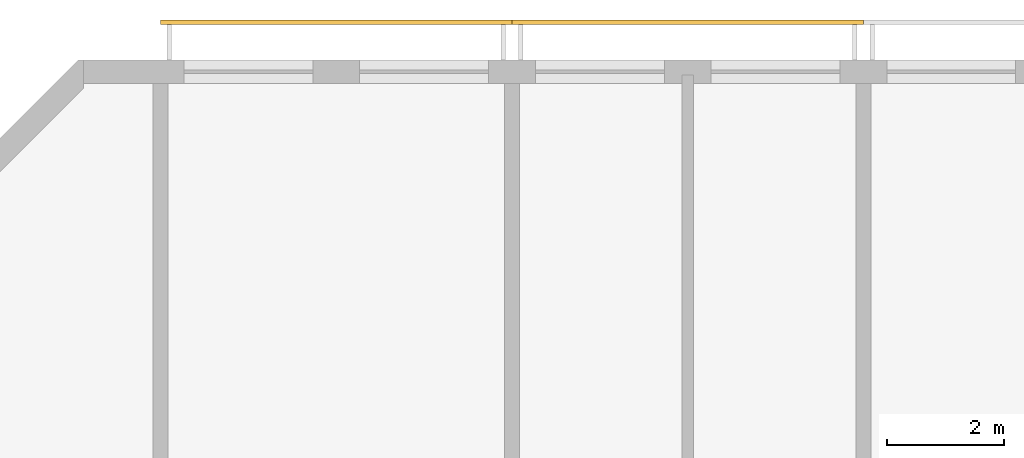
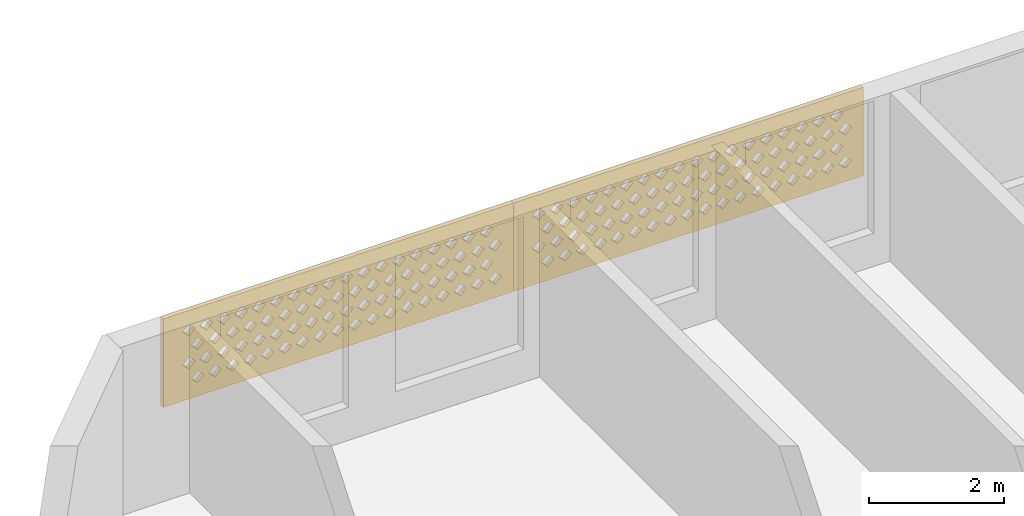
# One storey, part 11 of 16: 2 coverings.
"""IFC4 building model written with IfcOpenShell, lengths in metres."""

from ifc_helpers import new_model, si_unit, direction, frame, origin, place, context, subcontext, project, spatial, polyline, outline, extrude, source, transform, mapped, material, material_profile, profile_set, type_object, element, save


model = new_model("IFC4")

# Units and contexts
model_context = context("Model", 3, precision=1e-05, world=origin(), true_north=direction((0.0, 1.0)))
body_context = subcontext(model_context, "Body", "Model", "MODEL_VIEW")
ifc_project = project(units=[si_unit("LENGTHUNIT", "METRE"), si_unit("AREAUNIT", "SQUARE_METRE"), si_unit("VOLUMEUNIT", "CUBIC_METRE"), si_unit("PLANEANGLEUNIT", "RADIAN"), si_unit("MASSUNIT", "GRAM", prefix="KILO")], contexts=[model_context])

# Site, building, storey
site_placement = place(None, origin())
site = spatial("IfcSite", under=ifc_project, at=site_placement, CompositionType="ELEMENT")
building_placement = place(site_placement, origin())
building = spatial("IfcBuilding", under=site, at=building_placement, Name="Poui Terraces", CompositionType="ELEMENT")
storey_placement = place(building_placement, frame((0.0, 0.0, 282.300048828125)))
storey = spatial("IfcBuildingStorey", under=building, at=storey_placement, Name="L78 CROWN", CompositionType="ELEMENT", Elevation=282.300048828125)

# Coverings
ifc_material = material(Name="Terracotta screen", Category="masonry")
ifc_material_profile = material_profile(ifc_material, outline(polyline([(-3.0, -0.800048828125), (3.0, -0.800048828125), (3.0, 0.800048828125), (-3.0, 0.800048828125), (-3.0, -0.800048828125)]), holes=[polyline([(-2.800048828125, -0.449951171875), (-2.68994140625, -0.56005859375), (-2.580078125, -0.449951171875), (-2.68994140625, -0.340087890625), (-2.800048828125, -0.449951171875)]), polyline([(-2.5, -0.449951171875), (-2.389892578125, -0.56005859375), (-2.280029296875, -0.449951171875), (-2.389892578125, -0.340087890625), (-2.5, -0.449951171875)]), polyline([(-2.199951171875, -0.449951171875), (-2.090087890625, -0.56005859375), (-1.97998046875, -0.449951171875), (-2.090087890625, -0.340087890625), (-2.199951171875, -0.449951171875)]), polyline([(-1.89990234375, -0.449951171875), (-1.7900390625, -0.56005859375), (-1.679931640625, -0.449951171875), (-1.7900390625, -0.340087890625), (-1.89990234375, -0.449951171875)]), polyline([(-1.60009765625, -0.449951171875), (-1.489990234375, -0.56005859375), (-1.3798828125, -0.449951171875), (-1.489990234375, -0.340087890625), (-1.60009765625, -0.449951171875)]), polyline([(-1.300048828125, -0.449951171875), (-1.18994140625, -0.56005859375), (-1.080078125, -0.449951171875), (-1.18994140625, -0.340087890625), (-1.300048828125, -0.449951171875)]), polyline([(-1.0, -0.449951171875), (-0.889892578125, -0.56005859375), (-0.780029296875, -0.449951171875), (-0.889892578125, -0.340087890625), (-1.0, -0.449951171875)]), polyline([(-0.699951171875, -0.449951171875), (-0.590087890625, -0.56005859375), (-0.47998046875, -0.449951171875), (-0.590087890625, -0.340087890625), (-0.699951171875, -0.449951171875)]), polyline([(-0.39990234375, -0.449951171875), (-0.2900390625, -0.56005859375), (-0.179931640625, -0.449951171875), (-0.2900390625, -0.340087890625), (-0.39990234375, -0.449951171875)]), polyline([(-0.10009765625, -0.449951171875), (0.010009765625, -0.56005859375), (0.1201171875, -0.449951171875), (0.010009765625, -0.340087890625), (-0.10009765625, -0.449951171875)]), polyline([(0.199951171875, -0.449951171875), (0.31005859375, -0.56005859375), (0.419921875, -0.449951171875), (0.31005859375, -0.340087890625), (0.199951171875, -0.449951171875)]), polyline([(0.5, -0.449951171875), (0.610107421875, -0.56005859375), (0.719970703125, -0.449951171875), (0.610107421875, -0.340087890625), (0.5, -0.449951171875)]), polyline([(0.800048828125, -0.449951171875), (0.909912109375, -0.56005859375), (1.02001953125, -0.449951171875), (0.909912109375, -0.340087890625), (0.800048828125, -0.449951171875)]), polyline([(1.10009765625, -0.449951171875), (1.2099609375, -0.56005859375), (1.320068359375, -0.449951171875), (1.2099609375, -0.340087890625), (1.10009765625, -0.449951171875)]), polyline([(1.39990234375, -0.449951171875), (1.510009765625, -0.56005859375), (1.6201171875, -0.449951171875), (1.510009765625, -0.340087890625), (1.39990234375, -0.449951171875)]), polyline([(1.699951171875, -0.449951171875), (1.81005859375, -0.56005859375), (1.919921875, -0.449951171875), (1.81005859375, -0.340087890625), (1.699951171875, -0.449951171875)]), polyline([(2.0, -0.449951171875), (2.110107421875, -0.56005859375), (2.219970703125, -0.449951171875), (2.110107421875, -0.340087890625), (2.0, -0.449951171875)]), polyline([(2.300048828125, -0.449951171875), (2.409912109375, -0.56005859375), (2.52001953125, -0.449951171875), (2.409912109375, -0.340087890625), (2.300048828125, -0.449951171875)]), polyline([(-2.64990234375, -0.14990234375), (-2.5400390625, -0.260009765625), (-2.429931640625, -0.14990234375), (-2.5400390625, -0.0400390625), (-2.64990234375, -0.14990234375)]), polyline([(-2.35009765625, -0.14990234375), (-2.239990234375, -0.260009765625), (-2.1298828125, -0.14990234375), (-2.239990234375, -0.0400390625), (-2.35009765625, -0.14990234375)]), polyline([(-2.050048828125, -0.14990234375), (-1.93994140625, -0.260009765625), (-1.830078125, -0.14990234375), (-1.93994140625, -0.0400390625), (-2.050048828125, -0.14990234375)]), polyline([(-1.75, -0.14990234375), (-1.639892578125, -0.260009765625), (-1.530029296875, -0.14990234375), (-1.639892578125, -0.0400390625), (-1.75, -0.14990234375)]), polyline([(-1.449951171875, -0.14990234375), (-1.340087890625, -0.260009765625), (-1.22998046875, -0.14990234375), (-1.340087890625, -0.0400390625), (-1.449951171875, -0.14990234375)]), polyline([(-1.14990234375, -0.14990234375), (-1.0400390625, -0.260009765625), (-0.929931640625, -0.14990234375), (-1.0400390625, -0.0400390625), (-1.14990234375, -0.14990234375)]), polyline([(-0.85009765625, -0.14990234375), (-0.739990234375, -0.260009765625), (-0.6298828125, -0.14990234375), (-0.739990234375, -0.0400390625), (-0.85009765625, -0.14990234375)]), polyline([(-0.550048828125, -0.14990234375), (-0.43994140625, -0.260009765625), (-0.330078125, -0.14990234375), (-0.43994140625, -0.0400390625), (-0.550048828125, -0.14990234375)]), polyline([(-0.25, -0.14990234375), (-0.139892578125, -0.260009765625), (-0.030029296875, -0.14990234375), (-0.139892578125, -0.0400390625), (-0.25, -0.14990234375)]), polyline([(0.050048828125, -0.14990234375), (0.159912109375, -0.260009765625), (0.27001953125, -0.14990234375), (0.159912109375, -0.0400390625), (0.050048828125, -0.14990234375)]), polyline([(0.35009765625, -0.14990234375), (0.4599609375, -0.260009765625), (0.570068359375, -0.14990234375), (0.4599609375, -0.0400390625), (0.35009765625, -0.14990234375)]), polyline([(0.64990234375, -0.14990234375), (0.760009765625, -0.260009765625), (0.8701171875, -0.14990234375), (0.760009765625, -0.0400390625), (0.64990234375, -0.14990234375)]), polyline([(0.949951171875, -0.14990234375), (1.06005859375, -0.260009765625), (1.169921875, -0.14990234375), (1.06005859375, -0.0400390625), (0.949951171875, -0.14990234375)]), polyline([(1.25, -0.14990234375), (1.360107421875, -0.260009765625), (1.469970703125, -0.14990234375), (1.360107421875, -0.0400390625), (1.25, -0.14990234375)]), polyline([(1.550048828125, -0.14990234375), (1.659912109375, -0.260009765625), (1.77001953125, -0.14990234375), (1.659912109375, -0.0400390625), (1.550048828125, -0.14990234375)]), polyline([(1.85009765625, -0.14990234375), (1.9599609375, -0.260009765625), (2.070068359375, -0.14990234375), (1.9599609375, -0.0400390625), (1.85009765625, -0.14990234375)]), polyline([(2.14990234375, -0.14990234375), (2.260009765625, -0.260009765625), (2.3701171875, -0.14990234375), (2.260009765625, -0.0400390625), (2.14990234375, -0.14990234375)]), polyline([(2.449951171875, -0.14990234375), (2.56005859375, -0.260009765625), (2.669921875, -0.14990234375), (2.56005859375, -0.0400390625), (2.449951171875, -0.14990234375)]), polyline([(-2.800048828125, 0.14990234375), (-2.68994140625, 0.0400390625), (-2.580078125, 0.14990234375), (-2.68994140625, 0.260009765625), (-2.800048828125, 0.14990234375)]), polyline([(-2.5, 0.14990234375), (-2.389892578125, 0.0400390625), (-2.280029296875, 0.14990234375), (-2.389892578125, 0.260009765625), (-2.5, 0.14990234375)]), polyline([(-2.199951171875, 0.14990234375), (-2.090087890625, 0.0400390625), (-1.97998046875, 0.14990234375), (-2.090087890625, 0.260009765625), (-2.199951171875, 0.14990234375)]), polyline([(-1.89990234375, 0.14990234375), (-1.7900390625, 0.0400390625), (-1.679931640625, 0.14990234375), (-1.7900390625, 0.260009765625), (-1.89990234375, 0.14990234375)]), polyline([(-1.60009765625, 0.14990234375), (-1.489990234375, 0.0400390625), (-1.3798828125, 0.14990234375), (-1.489990234375, 0.260009765625), (-1.60009765625, 0.14990234375)]), polyline([(-1.300048828125, 0.14990234375), (-1.18994140625, 0.0400390625), (-1.080078125, 0.14990234375), (-1.18994140625, 0.260009765625), (-1.300048828125, 0.14990234375)]), polyline([(-1.0, 0.14990234375), (-0.889892578125, 0.0400390625), (-0.780029296875, 0.14990234375), (-0.889892578125, 0.260009765625), (-1.0, 0.14990234375)]), polyline([(-0.699951171875, 0.14990234375), (-0.590087890625, 0.0400390625), (-0.47998046875, 0.14990234375), (-0.590087890625, 0.260009765625), (-0.699951171875, 0.14990234375)]), polyline([(-0.39990234375, 0.14990234375), (-0.2900390625, 0.0400390625), (-0.179931640625, 0.14990234375), (-0.2900390625, 0.260009765625), (-0.39990234375, 0.14990234375)]), polyline([(-0.10009765625, 0.14990234375), (0.010009765625, 0.0400390625), (0.1201171875, 0.14990234375), (0.010009765625, 0.260009765625), (-0.10009765625, 0.14990234375)]), polyline([(0.199951171875, 0.14990234375), (0.31005859375, 0.0400390625), (0.419921875, 0.14990234375), (0.31005859375, 0.260009765625), (0.199951171875, 0.14990234375)]), polyline([(0.5, 0.14990234375), (0.610107421875, 0.0400390625), (0.719970703125, 0.14990234375), (0.610107421875, 0.260009765625), (0.5, 0.14990234375)]), polyline([(0.800048828125, 0.14990234375), (0.909912109375, 0.0400390625), (1.02001953125, 0.14990234375), (0.909912109375, 0.260009765625), (0.800048828125, 0.14990234375)]), polyline([(1.10009765625, 0.14990234375), (1.2099609375, 0.0400390625), (1.320068359375, 0.14990234375), (1.2099609375, 0.260009765625), (1.10009765625, 0.14990234375)]), polyline([(1.39990234375, 0.14990234375), (1.510009765625, 0.0400390625), (1.6201171875, 0.14990234375), (1.510009765625, 0.260009765625), (1.39990234375, 0.14990234375)]), polyline([(1.699951171875, 0.14990234375), (1.81005859375, 0.0400390625), (1.919921875, 0.14990234375), (1.81005859375, 0.260009765625), (1.699951171875, 0.14990234375)]), polyline([(2.0, 0.14990234375), (2.110107421875, 0.0400390625), (2.219970703125, 0.14990234375), (2.110107421875, 0.260009765625), (2.0, 0.14990234375)]), polyline([(2.300048828125, 0.14990234375), (2.409912109375, 0.0400390625), (2.52001953125, 0.14990234375), (2.409912109375, 0.260009765625), (2.300048828125, 0.14990234375)]), polyline([(-2.64990234375, 0.449951171875), (-2.5400390625, 0.340087890625), (-2.429931640625, 0.449951171875), (-2.5400390625, 0.56005859375), (-2.64990234375, 0.449951171875)]), polyline([(-2.35009765625, 0.449951171875), (-2.239990234375, 0.340087890625), (-2.1298828125, 0.449951171875), (-2.239990234375, 0.56005859375), (-2.35009765625, 0.449951171875)]), polyline([(-2.050048828125, 0.449951171875), (-1.93994140625, 0.340087890625), (-1.830078125, 0.449951171875), (-1.93994140625, 0.56005859375), (-2.050048828125, 0.449951171875)]), polyline([(-1.75, 0.449951171875), (-1.639892578125, 0.340087890625), (-1.530029296875, 0.449951171875), (-1.639892578125, 0.56005859375), (-1.75, 0.449951171875)]), polyline([(-1.449951171875, 0.449951171875), (-1.340087890625, 0.340087890625), (-1.22998046875, 0.449951171875), (-1.340087890625, 0.56005859375), (-1.449951171875, 0.449951171875)]), polyline([(-1.14990234375, 0.449951171875), (-1.0400390625, 0.340087890625), (-0.929931640625, 0.449951171875), (-1.0400390625, 0.56005859375), (-1.14990234375, 0.449951171875)]), polyline([(-0.85009765625, 0.449951171875), (-0.739990234375, 0.340087890625), (-0.6298828125, 0.449951171875), (-0.739990234375, 0.56005859375), (-0.85009765625, 0.449951171875)]), polyline([(-0.550048828125, 0.449951171875), (-0.43994140625, 0.340087890625), (-0.330078125, 0.449951171875), (-0.43994140625, 0.56005859375), (-0.550048828125, 0.449951171875)]), polyline([(-0.25, 0.449951171875), (-0.139892578125, 0.340087890625), (-0.030029296875, 0.449951171875), (-0.139892578125, 0.56005859375), (-0.25, 0.449951171875)]), polyline([(0.050048828125, 0.449951171875), (0.159912109375, 0.340087890625), (0.27001953125, 0.449951171875), (0.159912109375, 0.56005859375), (0.050048828125, 0.449951171875)]), polyline([(0.35009765625, 0.449951171875), (0.4599609375, 0.340087890625), (0.570068359375, 0.449951171875), (0.4599609375, 0.56005859375), (0.35009765625, 0.449951171875)]), polyline([(0.64990234375, 0.449951171875), (0.760009765625, 0.340087890625), (0.8701171875, 0.449951171875), (0.760009765625, 0.56005859375), (0.64990234375, 0.449951171875)]), polyline([(0.949951171875, 0.449951171875), (1.06005859375, 0.340087890625), (1.169921875, 0.449951171875), (1.06005859375, 0.56005859375), (0.949951171875, 0.449951171875)]), polyline([(1.25, 0.449951171875), (1.360107421875, 0.340087890625), (1.469970703125, 0.449951171875), (1.360107421875, 0.56005859375), (1.25, 0.449951171875)]), polyline([(1.550048828125, 0.449951171875), (1.659912109375, 0.340087890625), (1.77001953125, 0.449951171875), (1.659912109375, 0.56005859375), (1.550048828125, 0.449951171875)]), polyline([(1.85009765625, 0.449951171875), (1.9599609375, 0.340087890625), (2.070068359375, 0.449951171875), (1.9599609375, 0.56005859375), (1.85009765625, 0.449951171875)]), polyline([(2.14990234375, 0.449951171875), (2.260009765625, 0.340087890625), (2.3701171875, 0.449951171875), (2.260009765625, 0.56005859375), (2.14990234375, 0.449951171875)]), polyline([(2.449951171875, 0.449951171875), (2.56005859375, 0.340087890625), (2.669921875, 0.449951171875), (2.56005859375, 0.56005859375), (2.449951171875, 0.449951171875)])]), Name="TERRACOTTA SOLAR SCREEN 6000X1600")
ifc_profile_set = profile_set([ifc_material_profile], Name="Terracotta screen")
covering_type = type_object("IfcCoveringType", Name="TERRACOTTA SOLAR SCREEN 6000X1600", PredefinedType="CLADDING", material=ifc_profile_set)
shared_shape = source(origin(), body_context, "Body", "SweptSolid", [
    extrude(outline(polyline([(-3.0, -0.800048828125), (3.0, -0.800048828125), (3.0, 0.800048828125), (-3.0, 0.800048828125), (-3.0, -0.800048828125)]), holes=[polyline([(-2.800048828125, -0.449951171875), (-2.68994140625, -0.56005859375), (-2.580078125, -0.449951171875), (-2.68994140625, -0.340087890625), (-2.800048828125, -0.449951171875)]), polyline([(-2.5, -0.449951171875), (-2.389892578125, -0.56005859375), (-2.280029296875, -0.449951171875), (-2.389892578125, -0.340087890625), (-2.5, -0.449951171875)]), polyline([(-2.199951171875, -0.449951171875), (-2.090087890625, -0.56005859375), (-1.97998046875, -0.449951171875), (-2.090087890625, -0.340087890625), (-2.199951171875, -0.449951171875)]), polyline([(-1.89990234375, -0.449951171875), (-1.7900390625, -0.56005859375), (-1.679931640625, -0.449951171875), (-1.7900390625, -0.340087890625), (-1.89990234375, -0.449951171875)]), polyline([(-1.60009765625, -0.449951171875), (-1.489990234375, -0.56005859375), (-1.3798828125, -0.449951171875), (-1.489990234375, -0.340087890625), (-1.60009765625, -0.449951171875)]), polyline([(-1.300048828125, -0.449951171875), (-1.18994140625, -0.56005859375), (-1.080078125, -0.449951171875), (-1.18994140625, -0.340087890625), (-1.300048828125, -0.449951171875)]), polyline([(-1.0, -0.449951171875), (-0.889892578125, -0.56005859375), (-0.780029296875, -0.449951171875), (-0.889892578125, -0.340087890625), (-1.0, -0.449951171875)]), polyline([(-0.699951171875, -0.449951171875), (-0.590087890625, -0.56005859375), (-0.47998046875, -0.449951171875), (-0.590087890625, -0.340087890625), (-0.699951171875, -0.449951171875)]), polyline([(-0.39990234375, -0.449951171875), (-0.2900390625, -0.56005859375), (-0.179931640625, -0.449951171875), (-0.2900390625, -0.340087890625), (-0.39990234375, -0.449951171875)]), polyline([(-0.10009765625, -0.449951171875), (0.010009765625, -0.56005859375), (0.1201171875, -0.449951171875), (0.010009765625, -0.340087890625), (-0.10009765625, -0.449951171875)]), polyline([(0.199951171875, -0.449951171875), (0.31005859375, -0.56005859375), (0.419921875, -0.449951171875), (0.31005859375, -0.340087890625), (0.199951171875, -0.449951171875)]), polyline([(0.5, -0.449951171875), (0.610107421875, -0.56005859375), (0.719970703125, -0.449951171875), (0.610107421875, -0.340087890625), (0.5, -0.449951171875)]), polyline([(0.800048828125, -0.449951171875), (0.909912109375, -0.56005859375), (1.02001953125, -0.449951171875), (0.909912109375, -0.340087890625), (0.800048828125, -0.449951171875)]), polyline([(1.10009765625, -0.449951171875), (1.2099609375, -0.56005859375), (1.320068359375, -0.449951171875), (1.2099609375, -0.340087890625), (1.10009765625, -0.449951171875)]), polyline([(1.39990234375, -0.449951171875), (1.510009765625, -0.56005859375), (1.6201171875, -0.449951171875), (1.510009765625, -0.340087890625), (1.39990234375, -0.449951171875)]), polyline([(1.699951171875, -0.449951171875), (1.81005859375, -0.56005859375), (1.919921875, -0.449951171875), (1.81005859375, -0.340087890625), (1.699951171875, -0.449951171875)]), polyline([(2.0, -0.449951171875), (2.110107421875, -0.56005859375), (2.219970703125, -0.449951171875), (2.110107421875, -0.340087890625), (2.0, -0.449951171875)]), polyline([(2.300048828125, -0.449951171875), (2.409912109375, -0.56005859375), (2.52001953125, -0.449951171875), (2.409912109375, -0.340087890625), (2.300048828125, -0.449951171875)]), polyline([(-2.64990234375, -0.14990234375), (-2.5400390625, -0.260009765625), (-2.429931640625, -0.14990234375), (-2.5400390625, -0.0400390625), (-2.64990234375, -0.14990234375)]), polyline([(-2.35009765625, -0.14990234375), (-2.239990234375, -0.260009765625), (-2.1298828125, -0.14990234375), (-2.239990234375, -0.0400390625), (-2.35009765625, -0.14990234375)]), polyline([(-2.050048828125, -0.14990234375), (-1.93994140625, -0.260009765625), (-1.830078125, -0.14990234375), (-1.93994140625, -0.0400390625), (-2.050048828125, -0.14990234375)]), polyline([(-1.75, -0.14990234375), (-1.639892578125, -0.260009765625), (-1.530029296875, -0.14990234375), (-1.639892578125, -0.0400390625), (-1.75, -0.14990234375)]), polyline([(-1.449951171875, -0.14990234375), (-1.340087890625, -0.260009765625), (-1.22998046875, -0.14990234375), (-1.340087890625, -0.0400390625), (-1.449951171875, -0.14990234375)]), polyline([(-1.14990234375, -0.14990234375), (-1.0400390625, -0.260009765625), (-0.929931640625, -0.14990234375), (-1.0400390625, -0.0400390625), (-1.14990234375, -0.14990234375)]), polyline([(-0.85009765625, -0.14990234375), (-0.739990234375, -0.260009765625), (-0.6298828125, -0.14990234375), (-0.739990234375, -0.0400390625), (-0.85009765625, -0.14990234375)]), polyline([(-0.550048828125, -0.14990234375), (-0.43994140625, -0.260009765625), (-0.330078125, -0.14990234375), (-0.43994140625, -0.0400390625), (-0.550048828125, -0.14990234375)]), polyline([(-0.25, -0.14990234375), (-0.139892578125, -0.260009765625), (-0.030029296875, -0.14990234375), (-0.139892578125, -0.0400390625), (-0.25, -0.14990234375)]), polyline([(0.050048828125, -0.14990234375), (0.159912109375, -0.260009765625), (0.27001953125, -0.14990234375), (0.159912109375, -0.0400390625), (0.050048828125, -0.14990234375)]), polyline([(0.35009765625, -0.14990234375), (0.4599609375, -0.260009765625), (0.570068359375, -0.14990234375), (0.4599609375, -0.0400390625), (0.35009765625, -0.14990234375)]), polyline([(0.64990234375, -0.14990234375), (0.760009765625, -0.260009765625), (0.8701171875, -0.14990234375), (0.760009765625, -0.0400390625), (0.64990234375, -0.14990234375)]), polyline([(0.949951171875, -0.14990234375), (1.06005859375, -0.260009765625), (1.169921875, -0.14990234375), (1.06005859375, -0.0400390625), (0.949951171875, -0.14990234375)]), polyline([(1.25, -0.14990234375), (1.360107421875, -0.260009765625), (1.469970703125, -0.14990234375), (1.360107421875, -0.0400390625), (1.25, -0.14990234375)]), polyline([(1.550048828125, -0.14990234375), (1.659912109375, -0.260009765625), (1.77001953125, -0.14990234375), (1.659912109375, -0.0400390625), (1.550048828125, -0.14990234375)]), polyline([(1.85009765625, -0.14990234375), (1.9599609375, -0.260009765625), (2.070068359375, -0.14990234375), (1.9599609375, -0.0400390625), (1.85009765625, -0.14990234375)]), polyline([(2.14990234375, -0.14990234375), (2.260009765625, -0.260009765625), (2.3701171875, -0.14990234375), (2.260009765625, -0.0400390625), (2.14990234375, -0.14990234375)]), polyline([(2.449951171875, -0.14990234375), (2.56005859375, -0.260009765625), (2.669921875, -0.14990234375), (2.56005859375, -0.0400390625), (2.449951171875, -0.14990234375)]), polyline([(-2.800048828125, 0.14990234375), (-2.68994140625, 0.0400390625), (-2.580078125, 0.14990234375), (-2.68994140625, 0.260009765625), (-2.800048828125, 0.14990234375)]), polyline([(-2.5, 0.14990234375), (-2.389892578125, 0.0400390625), (-2.280029296875, 0.14990234375), (-2.389892578125, 0.260009765625), (-2.5, 0.14990234375)]), polyline([(-2.199951171875, 0.14990234375), (-2.090087890625, 0.0400390625), (-1.97998046875, 0.14990234375), (-2.090087890625, 0.260009765625), (-2.199951171875, 0.14990234375)]), polyline([(-1.89990234375, 0.14990234375), (-1.7900390625, 0.0400390625), (-1.679931640625, 0.14990234375), (-1.7900390625, 0.260009765625), (-1.89990234375, 0.14990234375)]), polyline([(-1.60009765625, 0.14990234375), (-1.489990234375, 0.0400390625), (-1.3798828125, 0.14990234375), (-1.489990234375, 0.260009765625), (-1.60009765625, 0.14990234375)]), polyline([(-1.300048828125, 0.14990234375), (-1.18994140625, 0.0400390625), (-1.080078125, 0.14990234375), (-1.18994140625, 0.260009765625), (-1.300048828125, 0.14990234375)]), polyline([(-1.0, 0.14990234375), (-0.889892578125, 0.0400390625), (-0.780029296875, 0.14990234375), (-0.889892578125, 0.260009765625), (-1.0, 0.14990234375)]), polyline([(-0.699951171875, 0.14990234375), (-0.590087890625, 0.0400390625), (-0.47998046875, 0.14990234375), (-0.590087890625, 0.260009765625), (-0.699951171875, 0.14990234375)]), polyline([(-0.39990234375, 0.14990234375), (-0.2900390625, 0.0400390625), (-0.179931640625, 0.14990234375), (-0.2900390625, 0.260009765625), (-0.39990234375, 0.14990234375)]), polyline([(-0.10009765625, 0.14990234375), (0.010009765625, 0.0400390625), (0.1201171875, 0.14990234375), (0.010009765625, 0.260009765625), (-0.10009765625, 0.14990234375)]), polyline([(0.199951171875, 0.14990234375), (0.31005859375, 0.0400390625), (0.419921875, 0.14990234375), (0.31005859375, 0.260009765625), (0.199951171875, 0.14990234375)]), polyline([(0.5, 0.14990234375), (0.610107421875, 0.0400390625), (0.719970703125, 0.14990234375), (0.610107421875, 0.260009765625), (0.5, 0.14990234375)]), polyline([(0.800048828125, 0.14990234375), (0.909912109375, 0.0400390625), (1.02001953125, 0.14990234375), (0.909912109375, 0.260009765625), (0.800048828125, 0.14990234375)]), polyline([(1.10009765625, 0.14990234375), (1.2099609375, 0.0400390625), (1.320068359375, 0.14990234375), (1.2099609375, 0.260009765625), (1.10009765625, 0.14990234375)]), polyline([(1.39990234375, 0.14990234375), (1.510009765625, 0.0400390625), (1.6201171875, 0.14990234375), (1.510009765625, 0.260009765625), (1.39990234375, 0.14990234375)]), polyline([(1.699951171875, 0.14990234375), (1.81005859375, 0.0400390625), (1.919921875, 0.14990234375), (1.81005859375, 0.260009765625), (1.699951171875, 0.14990234375)]), polyline([(2.0, 0.14990234375), (2.110107421875, 0.0400390625), (2.219970703125, 0.14990234375), (2.110107421875, 0.260009765625), (2.0, 0.14990234375)]), polyline([(2.300048828125, 0.14990234375), (2.409912109375, 0.0400390625), (2.52001953125, 0.14990234375), (2.409912109375, 0.260009765625), (2.300048828125, 0.14990234375)]), polyline([(-2.64990234375, 0.449951171875), (-2.5400390625, 0.340087890625), (-2.429931640625, 0.449951171875), (-2.5400390625, 0.56005859375), (-2.64990234375, 0.449951171875)]), polyline([(-2.35009765625, 0.449951171875), (-2.239990234375, 0.340087890625), (-2.1298828125, 0.449951171875), (-2.239990234375, 0.56005859375), (-2.35009765625, 0.449951171875)]), polyline([(-2.050048828125, 0.449951171875), (-1.93994140625, 0.340087890625), (-1.830078125, 0.449951171875), (-1.93994140625, 0.56005859375), (-2.050048828125, 0.449951171875)]), polyline([(-1.75, 0.449951171875), (-1.639892578125, 0.340087890625), (-1.530029296875, 0.449951171875), (-1.639892578125, 0.56005859375), (-1.75, 0.449951171875)]), polyline([(-1.449951171875, 0.449951171875), (-1.340087890625, 0.340087890625), (-1.22998046875, 0.449951171875), (-1.340087890625, 0.56005859375), (-1.449951171875, 0.449951171875)]), polyline([(-1.14990234375, 0.449951171875), (-1.0400390625, 0.340087890625), (-0.929931640625, 0.449951171875), (-1.0400390625, 0.56005859375), (-1.14990234375, 0.449951171875)]), polyline([(-0.85009765625, 0.449951171875), (-0.739990234375, 0.340087890625), (-0.6298828125, 0.449951171875), (-0.739990234375, 0.56005859375), (-0.85009765625, 0.449951171875)]), polyline([(-0.550048828125, 0.449951171875), (-0.43994140625, 0.340087890625), (-0.330078125, 0.449951171875), (-0.43994140625, 0.56005859375), (-0.550048828125, 0.449951171875)]), polyline([(-0.25, 0.449951171875), (-0.139892578125, 0.340087890625), (-0.030029296875, 0.449951171875), (-0.139892578125, 0.56005859375), (-0.25, 0.449951171875)]), polyline([(0.050048828125, 0.449951171875), (0.159912109375, 0.340087890625), (0.27001953125, 0.449951171875), (0.159912109375, 0.56005859375), (0.050048828125, 0.449951171875)]), polyline([(0.35009765625, 0.449951171875), (0.4599609375, 0.340087890625), (0.570068359375, 0.449951171875), (0.4599609375, 0.56005859375), (0.35009765625, 0.449951171875)]), polyline([(0.64990234375, 0.449951171875), (0.760009765625, 0.340087890625), (0.8701171875, 0.449951171875), (0.760009765625, 0.56005859375), (0.64990234375, 0.449951171875)]), polyline([(0.949951171875, 0.449951171875), (1.06005859375, 0.340087890625), (1.169921875, 0.449951171875), (1.06005859375, 0.56005859375), (0.949951171875, 0.449951171875)]), polyline([(1.25, 0.449951171875), (1.360107421875, 0.340087890625), (1.469970703125, 0.449951171875), (1.360107421875, 0.56005859375), (1.25, 0.449951171875)]), polyline([(1.550048828125, 0.449951171875), (1.659912109375, 0.340087890625), (1.77001953125, 0.449951171875), (1.659912109375, 0.56005859375), (1.550048828125, 0.449951171875)]), polyline([(1.85009765625, 0.449951171875), (1.9599609375, 0.340087890625), (2.070068359375, 0.449951171875), (1.9599609375, 0.56005859375), (1.85009765625, 0.449951171875)]), polyline([(2.14990234375, 0.449951171875), (2.260009765625, 0.340087890625), (2.3701171875, 0.449951171875), (2.260009765625, 0.56005859375), (2.14990234375, 0.449951171875)]), polyline([(2.449951171875, 0.449951171875), (2.56005859375, 0.340087890625), (2.669921875, 0.449951171875), (2.56005859375, 0.56005859375), (2.449951171875, 0.449951171875)])]), origin(), (0.0, 0.0, 1.0), 0.080078125),
])
for number, where, z_axis, x_axis, name in (
    (1, (27.0, 42.0, 1.699951171875), (0.0, 1.0, 0.0), (-1.0, 0.0, 0.0), "SOLAR SCREEN"),
    (2, (33.0, 42.0, 1.699951171875), (0.0, 1.0, 0.0), (-1.0, 0.0, 0.0), "SOLAR SCREEN"),
):
    element("IfcCovering", number, at=place(storey_placement, frame(where, z_axis=z_axis, x_axis=x_axis)), inside=storey, type_object=covering_type, Name=name, PredefinedType="CLADDING", context=body_context, shape_type="MappedRepresentation", body=[
        mapped(shared_shape, transform((0.0, 0.0, 0.0))),
    ])

save(model, "model.ifc")
